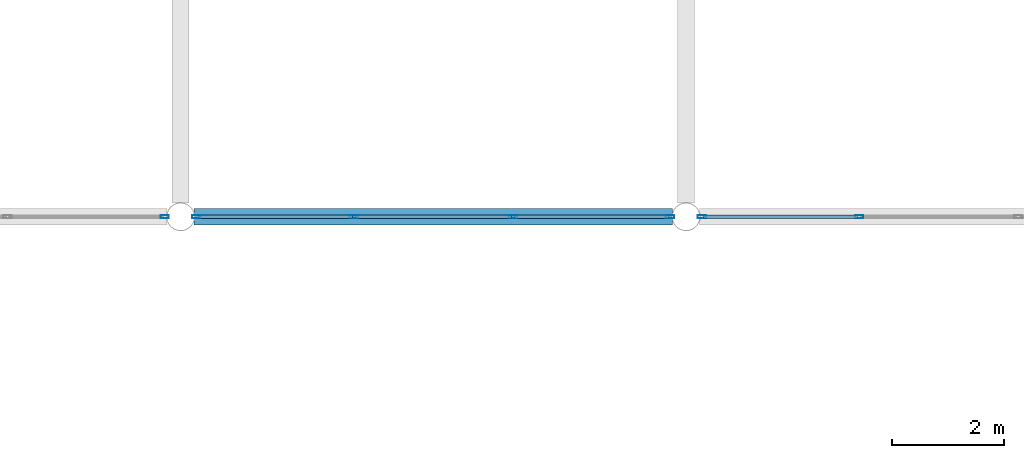
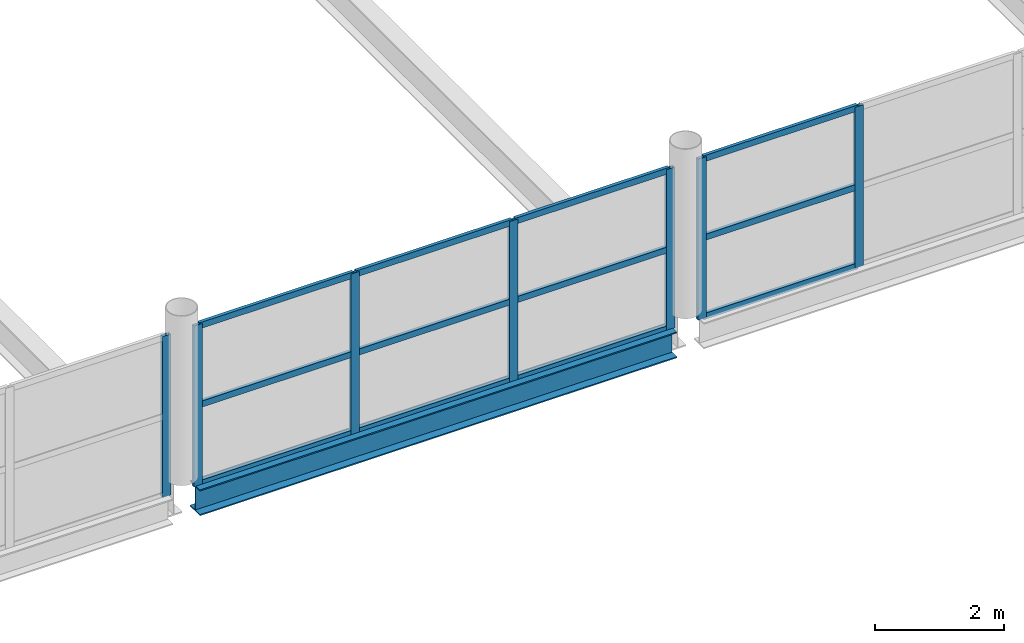
# One storey, part 24 of 134: 19 members, 1 beam, 3 elements without a shape of their own.
"""IFC4 building model written with IfcOpenShell, lengths in metres."""

from ifc_helpers import new_model, si_unit, direction, frame, origin, origin_2d, place, context, subcontext, project, spatial, hollow_rectangle, i_section, extrude, material, layer, layer_set, material_profile, profile_set, type_object, element, aggregate, save


model = new_model("IFC4")

# Units and contexts
model_context = context("Model", 3, precision=1e-05, world=origin(), true_north=direction((0.0, 1.0)))
body_context = subcontext(model_context, "Body", "Model", "MODEL_VIEW")
ifc_project = project(units=[si_unit("LENGTHUNIT", "METRE"), si_unit("AREAUNIT", "SQUARE_METRE"), si_unit("VOLUMEUNIT", "CUBIC_METRE"), si_unit("PLANEANGLEUNIT", "RADIAN"), si_unit("MASSUNIT", "GRAM", prefix="KILO")], contexts=[model_context])

# Site, building, storey
site_placement = place(None, origin())
site = spatial("IfcSite", under=ifc_project, at=site_placement, CompositionType="ELEMENT")
building_placement = place(site_placement, origin())
building = spatial("IfcBuilding", under=site, at=building_placement, Name="Tamarisk Ironworks Central Station", CompositionType="ELEMENT")
storey_placement = place(building_placement, frame((0.0, 0.0, 12.60009765625)))
storey = spatial("IfcBuildingStorey", under=building, at=storey_placement, Name="L02", CompositionType="ELEMENT", Elevation=12.60009765625)

# Beam
ifc_material_1 = material(Name="Structural steel S355J2", Category="steel")
ifc_material_profile_1 = material_profile(ifc_material_1, i_section(OverallWidth=0.300048828125, OverallDepth=0.489990234375, WebThickness=0.011962890625, FlangeThickness=0.02294921875, at=origin_2d()), Name="HEA 500")
ifc_profile_set_1 = profile_set([ifc_material_profile_1], Name="Structural steel S355J2")
beam_type = type_object("IfcBeamType", Name="BM-G05", PredefinedType="BEAM", material=ifc_profile_set_1)
beam_placement = place(storey_placement, frame((18.241943359375, 21.60009765625, -0.4951171875), z_axis=(1.0, 0.0, 0.0), x_axis=(0.0, 1.0, 0.0)))
element("IfcBeam", 1, at=beam_placement, inside=storey, type_object=beam_type, Name="L02 primary girder X-0308", PredefinedType="BEAM", context=body_context, shape_type="SweptSolid", body=[
    extrude(i_section(OverallWidth=0.300048828125, OverallDepth=0.489990234375, WebThickness=0.011962890625, FlangeThickness=0.02294921875, at=origin_2d()), origin(), (0.0, 0.0, 1.0), 8.51611328125),
])

# Curtain wall, member
ifc_material_2 = material(Name="Anodized aluminium alloy 6063-T6", Category="aluminium")
ifc_layer = layer(ifc_material_2, 0.179931640625)
ifc_layer_set = layer_set([ifc_layer], Name="Anodized aluminium alloy 6063-T6")
curtain_wall_type = type_object("IfcCurtainWallType", Name="CW-08", PredefinedType="USERDEFINED", material=ifc_layer_set)
curtain_wall_1_placement = place(storey_placement, origin())
curtain_wall_1 = element("IfcCurtainWall", 2, at=curtain_wall_1_placement, inside=storey, type_object=curtain_wall_type, Name="Train shed WS clerestory curtain wall 009", ObjectType="GLAZED CURTAIN WALL", PredefinedType="USERDEFINED")
ifc_material_profile_2 = material_profile(ifc_material_2, hollow_rectangle(XDim=0.06005859375, YDim=0.14990234375, WallThickness=0.00341796875, at=origin_2d()), Name="ALUM 150x60")
ifc_profile_set_2 = profile_set([ifc_material_profile_2], Name="Anodized aluminium alloy 6063-T6")
member_type_1 = type_object("IfcMemberType", Name="CWM-03", PredefinedType="MULLION", material=ifc_profile_set_2)
member_1_placement = place(storey_placement, frame((17.718017578125, 21.60009765625, -0.260009765625), z_axis=(0.0, 0.0, 1.0), x_axis=(0.0, 1.0, 0.0)))
member_1 = element("IfcMember", 3, at=member_1_placement, type_object=member_type_1, Name="CW08 mullion 4", PredefinedType="MULLION", context=body_context, shape_type="SweptSolid", body=[
    extrude(hollow_rectangle(XDim=0.06005859375, YDim=0.14990234375, WallThickness=0.00341796875, at=origin_2d()), origin(), (0.0, 0.0, 1.0), 3.039794921875),
])
aggregate(curtain_wall_1, [member_1])

# Curtain wall, members
curtain_wall_2_placement = place(storey_placement, origin())
curtain_wall_2 = element("IfcCurtainWall", 4, at=curtain_wall_2_placement, inside=storey, type_object=curtain_wall_type, Name="Train shed WS clerestory curtain wall 018", ObjectType="GLAZED CURTAIN WALL", PredefinedType="USERDEFINED")
member_2_placement = place(storey_placement, frame((18.281982421875, 21.60009765625, -0.260009765625), z_axis=(0.0, 0.0, 1.0), x_axis=(0.0, 1.0, 0.0)))
member_2 = element("IfcMember", 5, at=member_2_placement, type_object=member_type_1, Name="CW08 mullion 1", PredefinedType="MULLION", context=body_context, shape_type="SweptSolid", body=[
    extrude(hollow_rectangle(XDim=0.06005859375, YDim=0.14990234375, WallThickness=0.00341796875, at=origin_2d()), origin(), (0.0, 0.0, 1.0), 3.039794921875),
])
member_3_placement = place(storey_placement, frame((21.083984375, 21.60009765625, -0.260009765625), z_axis=(0.0, 0.0, 1.0), x_axis=(0.0, 1.0, 0.0)))
member_3 = element("IfcMember", 6, at=member_3_placement, type_object=member_type_1, Name="CW08 mullion 2", PredefinedType="MULLION", context=body_context, shape_type="SweptSolid", body=[
    extrude(hollow_rectangle(XDim=0.06005859375, YDim=0.14990234375, WallThickness=0.00341796875, at=origin_2d()), origin(), (0.0, 0.0, 1.0), 3.039794921875),
])
member_4_placement = place(storey_placement, frame((23.916015625, 21.60009765625, -0.260009765625), z_axis=(0.0, 0.0, 1.0), x_axis=(0.0, 1.0, 0.0)))
member_4 = element("IfcMember", 7, at=member_4_placement, type_object=member_type_1, Name="CW08 mullion 3", PredefinedType="MULLION", context=body_context, shape_type="SweptSolid", body=[
    extrude(hollow_rectangle(XDim=0.06005859375, YDim=0.14990234375, WallThickness=0.00341796875, at=origin_2d()), origin(), (0.0, 0.0, 1.0), 3.039794921875),
])
member_5_placement = place(storey_placement, frame((26.718017578125, 21.60009765625, -0.260009765625), z_axis=(0.0, 0.0, 1.0), x_axis=(0.0, 1.0, 0.0)))
member_5 = element("IfcMember", 8, at=member_5_placement, type_object=member_type_1, Name="CW08 mullion 4", PredefinedType="MULLION", context=body_context, shape_type="SweptSolid", body=[
    extrude(hollow_rectangle(XDim=0.06005859375, YDim=0.14990234375, WallThickness=0.00341796875, at=origin_2d()), origin(), (0.0, 0.0, 1.0), 3.039794921875),
])

curtain_wall_3_placement = place(storey_placement, origin())
curtain_wall_3 = element("IfcCurtainWall", 9, at=curtain_wall_3_placement, inside=storey, type_object=curtain_wall_type, Name="Train shed WS clerestory curtain wall 027", ObjectType="GLAZED CURTAIN WALL", PredefinedType="USERDEFINED")
member_6_placement = place(storey_placement, frame((27.281982421875, 21.60009765625, -0.260009765625), z_axis=(0.0, 0.0, 1.0), x_axis=(0.0, 1.0, 0.0)))
member_6 = element("IfcMember", 10, at=member_6_placement, type_object=member_type_1, Name="CW08 mullion 1", PredefinedType="MULLION", context=body_context, shape_type="SweptSolid", body=[
    extrude(hollow_rectangle(XDim=0.06005859375, YDim=0.14990234375, WallThickness=0.00341796875, at=origin_2d()), origin(), (0.0, 0.0, 1.0), 3.039794921875),
])
member_7_placement = place(storey_placement, frame((30.083984375, 21.60009765625, -0.260009765625), z_axis=(0.0, 0.0, 1.0), x_axis=(0.0, 1.0, 0.0)))
member_7 = element("IfcMember", 11, at=member_7_placement, type_object=member_type_1, Name="CW08 mullion 2", PredefinedType="MULLION", context=body_context, shape_type="SweptSolid", body=[
    extrude(hollow_rectangle(XDim=0.06005859375, YDim=0.14990234375, WallThickness=0.00341796875, at=origin_2d()), origin(), (0.0, 0.0, 1.0), 3.039794921875),
])

# Member
ifc_material_profile_3 = material_profile(ifc_material_2, hollow_rectangle(XDim=0.06005859375, YDim=0.114990234375, WallThickness=0.00341796875, at=origin_2d()), Name="ALUM 115x60")
ifc_profile_set_3 = profile_set([ifc_material_profile_3], Name="Anodized aluminium alloy 6063-T6")
member_type_2 = type_object("IfcMemberType", Name="CWT-03", PredefinedType="USERDEFINED", material=ifc_profile_set_3)
member_8_placement = place(storey_placement, frame((18.30810546875, 21.60009765625, -0.22998046875), z_axis=(1.0, 0.0, 0.0), x_axis=(0.0, 1.0, 0.0)))
member_8 = element("IfcMember", 12, at=member_8_placement, type_object=member_type_2, Name="CW08 transom 1.1", ObjectType="TRANSOM", PredefinedType="USERDEFINED", context=body_context, shape_type="SweptSolid", body=[
    extrude(hollow_rectangle(XDim=0.06005859375, YDim=0.114990234375, WallThickness=0.00341796875, at=origin_2d()), origin(), (0.0, 0.0, 1.0), 2.75),
])

member_9_placement = place(storey_placement, frame((18.30810546875, 21.60009765625, 1.260009765625), z_axis=(1.0, 0.0, 0.0), x_axis=(0.0, 1.0, 0.0)))
member_9 = element("IfcMember", 13, at=member_9_placement, type_object=member_type_2, Name="CW08 transom 1.2", ObjectType="TRANSOM", PredefinedType="USERDEFINED", context=body_context, shape_type="SweptSolid", body=[
    extrude(hollow_rectangle(XDim=0.06005859375, YDim=0.114990234375, WallThickness=0.00341796875, at=origin_2d()), origin(), (0.0, 0.0, 1.0), 2.75),
])

member_10_placement = place(storey_placement, frame((18.30810546875, 21.60009765625, 2.75), z_axis=(1.0, 0.0, 0.0), x_axis=(0.0, 1.0, 0.0)))
member_10 = element("IfcMember", 14, at=member_10_placement, type_object=member_type_2, Name="CW08 transom 1.3", ObjectType="TRANSOM", PredefinedType="USERDEFINED", context=body_context, shape_type="SweptSolid", body=[
    extrude(hollow_rectangle(XDim=0.06005859375, YDim=0.114990234375, WallThickness=0.00341796875, at=origin_2d()), origin(), (0.0, 0.0, 1.0), 2.75),
])

member_11_placement = place(storey_placement, frame((21.110107421875, 21.60009765625, -0.22998046875), z_axis=(1.0, 0.0, 0.0), x_axis=(0.0, 1.0, 0.0)))
member_11 = element("IfcMember", 15, at=member_11_placement, type_object=member_type_2, Name="CW08 transom 2.1", ObjectType="TRANSOM", PredefinedType="USERDEFINED", context=body_context, shape_type="SweptSolid", body=[
    extrude(hollow_rectangle(XDim=0.06005859375, YDim=0.114990234375, WallThickness=0.00341796875, at=origin_2d()), origin(), (0.0, 0.0, 1.0), 2.77978515625),
])

member_12_placement = place(storey_placement, frame((21.110107421875, 21.60009765625, 1.260009765625), z_axis=(1.0, 0.0, 0.0), x_axis=(0.0, 1.0, 0.0)))
member_12 = element("IfcMember", 16, at=member_12_placement, type_object=member_type_2, Name="CW08 transom 2.2", ObjectType="TRANSOM", PredefinedType="USERDEFINED", context=body_context, shape_type="SweptSolid", body=[
    extrude(hollow_rectangle(XDim=0.06005859375, YDim=0.114990234375, WallThickness=0.00341796875, at=origin_2d()), origin(), (0.0, 0.0, 1.0), 2.77978515625),
])

member_13_placement = place(storey_placement, frame((21.110107421875, 21.60009765625, 2.75), z_axis=(1.0, 0.0, 0.0), x_axis=(0.0, 1.0, 0.0)))
member_13 = element("IfcMember", 17, at=member_13_placement, type_object=member_type_2, Name="CW08 transom 2.3", ObjectType="TRANSOM", PredefinedType="USERDEFINED", context=body_context, shape_type="SweptSolid", body=[
    extrude(hollow_rectangle(XDim=0.06005859375, YDim=0.114990234375, WallThickness=0.00341796875, at=origin_2d()), origin(), (0.0, 0.0, 1.0), 2.77978515625),
])

member_14_placement = place(storey_placement, frame((23.94189453125, 21.60009765625, -0.22998046875), z_axis=(1.0, 0.0, 0.0), x_axis=(0.0, 1.0, 0.0)))
member_14 = element("IfcMember", 18, at=member_14_placement, type_object=member_type_2, Name="CW08 transom 3.1", ObjectType="TRANSOM", PredefinedType="USERDEFINED", context=body_context, shape_type="SweptSolid", body=[
    extrude(hollow_rectangle(XDim=0.06005859375, YDim=0.114990234375, WallThickness=0.00341796875, at=origin_2d()), origin(), (0.0, 0.0, 1.0), 2.75),
])

member_15_placement = place(storey_placement, frame((23.94189453125, 21.60009765625, 1.260009765625), z_axis=(1.0, 0.0, 0.0), x_axis=(0.0, 1.0, 0.0)))
member_15 = element("IfcMember", 19, at=member_15_placement, type_object=member_type_2, Name="CW08 transom 3.2", ObjectType="TRANSOM", PredefinedType="USERDEFINED", context=body_context, shape_type="SweptSolid", body=[
    extrude(hollow_rectangle(XDim=0.06005859375, YDim=0.114990234375, WallThickness=0.00341796875, at=origin_2d()), origin(), (0.0, 0.0, 1.0), 2.75),
])

member_16_placement = place(storey_placement, frame((23.94189453125, 21.60009765625, 2.75), z_axis=(1.0, 0.0, 0.0), x_axis=(0.0, 1.0, 0.0)))
member_16 = element("IfcMember", 20, at=member_16_placement, type_object=member_type_2, Name="CW08 transom 3.3", ObjectType="TRANSOM", PredefinedType="USERDEFINED", context=body_context, shape_type="SweptSolid", body=[
    extrude(hollow_rectangle(XDim=0.06005859375, YDim=0.114990234375, WallThickness=0.00341796875, at=origin_2d()), origin(), (0.0, 0.0, 1.0), 2.75),
])

aggregate(curtain_wall_2, [member_2, member_3, member_4, member_5, member_8, member_9, member_10, member_11, member_12, member_13, member_14, member_15, member_16])

member_17_placement = place(storey_placement, frame((27.30810546875, 21.60009765625, -0.22998046875), z_axis=(1.0, 0.0, 0.0), x_axis=(0.0, 1.0, 0.0)))
member_17 = element("IfcMember", 21, at=member_17_placement, type_object=member_type_2, Name="CW08 transom 1.1", ObjectType="TRANSOM", PredefinedType="USERDEFINED", context=body_context, shape_type="SweptSolid", body=[
    extrude(hollow_rectangle(XDim=0.06005859375, YDim=0.114990234375, WallThickness=0.00341796875, at=origin_2d()), origin(), (0.0, 0.0, 1.0), 2.75),
])

member_18_placement = place(storey_placement, frame((27.30810546875, 21.60009765625, 1.260009765625), z_axis=(1.0, 0.0, 0.0), x_axis=(0.0, 1.0, 0.0)))
member_18 = element("IfcMember", 22, at=member_18_placement, type_object=member_type_2, Name="CW08 transom 1.2", ObjectType="TRANSOM", PredefinedType="USERDEFINED", context=body_context, shape_type="SweptSolid", body=[
    extrude(hollow_rectangle(XDim=0.06005859375, YDim=0.114990234375, WallThickness=0.00341796875, at=origin_2d()), origin(), (0.0, 0.0, 1.0), 2.75),
])

member_19_placement = place(storey_placement, frame((27.30810546875, 21.60009765625, 2.75), z_axis=(1.0, 0.0, 0.0), x_axis=(0.0, 1.0, 0.0)))
member_19 = element("IfcMember", 23, at=member_19_placement, type_object=member_type_2, Name="CW08 transom 1.3", ObjectType="TRANSOM", PredefinedType="USERDEFINED", context=body_context, shape_type="SweptSolid", body=[
    extrude(hollow_rectangle(XDim=0.06005859375, YDim=0.114990234375, WallThickness=0.00341796875, at=origin_2d()), origin(), (0.0, 0.0, 1.0), 2.75),
])

aggregate(curtain_wall_3, [member_6, member_7, member_17, member_18, member_19])

save(model, "model.ifc")
